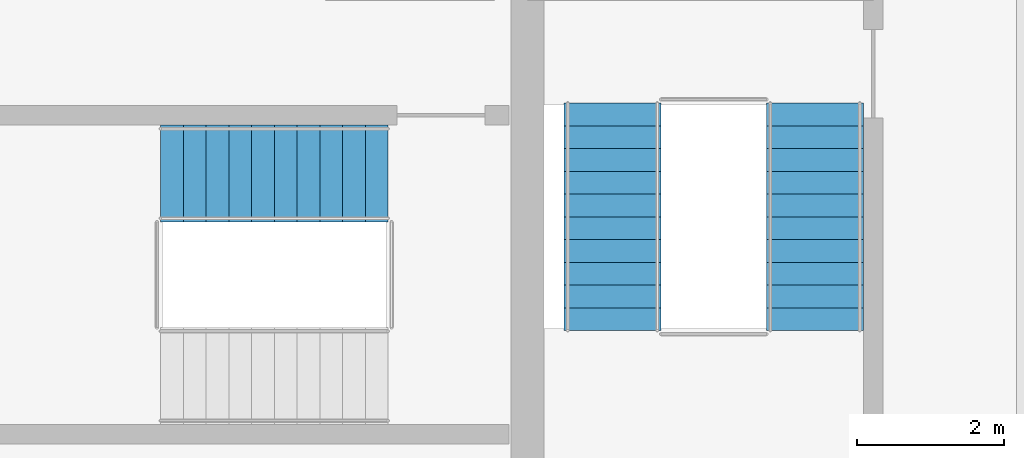
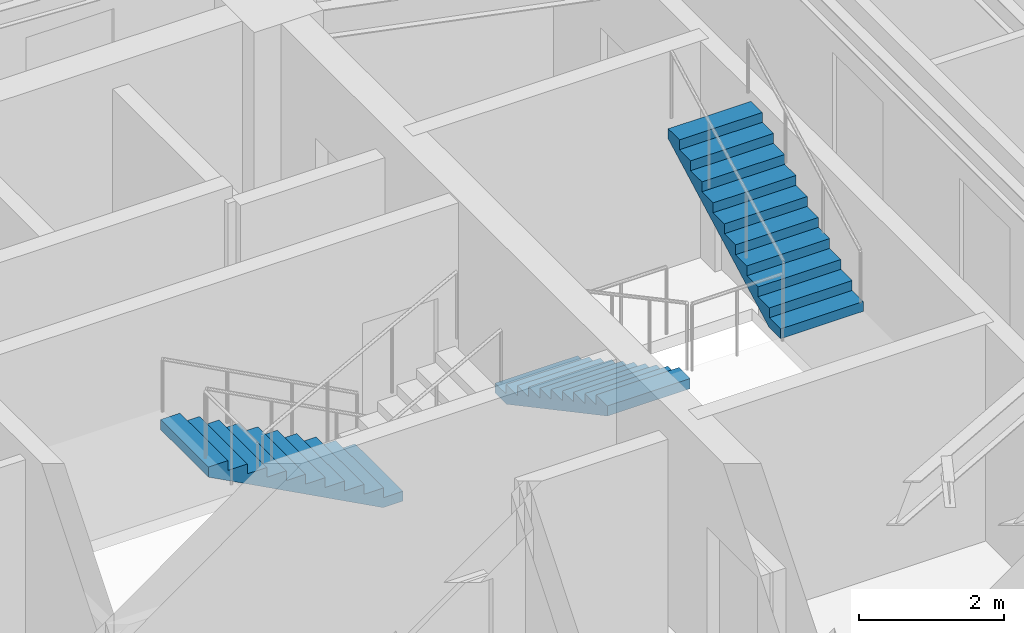
# One storey, part 11 of 13: 3 stair flights, 2 elements without a shape of their own.
"""IFC4 building model written with IfcOpenShell, lengths in metres."""

from ifc_helpers import new_model, si_unit, direction, frame, origin, place, context, subcontext, project, spatial, polyline, outline, extrude, material, type_object, element, aggregate, save


model = new_model("IFC4")

# Units and contexts
model_context = context("Model", 3, precision=1e-05, world=origin(), true_north=direction((0.0, 1.0)))
body_context = subcontext(model_context, "Body", "Model", "MODEL_VIEW")
ifc_project = project(units=[si_unit("LENGTHUNIT", "METRE"), si_unit("AREAUNIT", "SQUARE_METRE"), si_unit("VOLUMEUNIT", "CUBIC_METRE"), si_unit("PLANEANGLEUNIT", "RADIAN"), si_unit("MASSUNIT", "GRAM", prefix="KILO")], contexts=[model_context])

# Site, building, storey
site_placement = place(None, origin())
site = spatial("IfcSite", under=ifc_project, at=site_placement, CompositionType="ELEMENT")
building_placement = place(site_placement, origin())
building = spatial("IfcBuilding", under=site, at=building_placement, Name="Lazwardi Medical Tower", CompositionType="ELEMENT")
storey_placement = place(building_placement, frame((0.0, 0.0, 273.263916015625)))
storey = spatial("IfcBuildingStorey", under=building, at=storey_placement, Name="L71", CompositionType="ELEMENT", Elevation=273.263916015625)

# Stair, stair flight
ifc_material = material(Name="Concrete C45/55", Category="concrete")
stair_type = type_object("IfcStairType", Name="STR-WRD", PredefinedType="HALF_TURN_STAIR", material=ifc_material)
stair_1_placement = place(storey_placement, origin())
stair_1 = element("IfcStair", 1, at=stair_1_placement, inside=storey, type_object=stair_type, Name="L71 Protected Exit Stair ST2", PredefinedType="HALF_TURN_STAIR")
stair_flight_type = type_object("IfcStairFlightType", Name="FLT-WRD", PredefinedType="STRAIGHT", material=ifc_material)
stair_flight_1_placement = place(storey_placement, frame((43.800048828125, 29.43994140625, 0.0), z_axis=(0.0, 0.0, 1.0), x_axis=(-1.0, 0.0, 0.0)))
stair_flight_1 = element("IfcStairFlight", 2, at=stair_flight_1_placement, type_object=stair_flight_type, Name="ST2 flight 1", NumberOfRisers=11, NumberOfTreads=10, PredefinedType="STRAIGHT", RiserHeight=0.165818182, TreadLength=0.31, context=body_context, shape_type="SweptSolid", body=[
    extrude(outline(polyline([(0.0, 0.0), (0.0, 0.165771484375), (0.31005859375, 0.165771484375), (0.31005859375, 0.33154296875), (0.6201171875, 0.33154296875), (0.6201171875, 0.49755859375), (0.929931640625, 0.49755859375), (0.929931640625, 0.663330078125), (1.239990234375, 0.663330078125), (1.239990234375, 0.8291015625), (1.550048828125, 0.8291015625), (1.550048828125, 0.994873046875), (1.860107421875, 0.994873046875), (1.860107421875, 1.16064453125), (2.169921875, 1.16064453125), (2.169921875, 1.32666015625), (2.47998046875, 1.32666015625), (2.47998046875, 1.492431640625), (2.7900390625, 1.492431640625), (2.7900390625, 1.658203125), (3.10009765625, 1.658203125), (3.10009765625, 1.823974609375), (3.10009765625, 1.48828125), (0.31787109375, 0.0), (0.0, 0.0)])), frame((0.0, 0.66015625, 0.0), z_axis=(0.0, -1.0, 0.0), x_axis=(1.0, 0.0, 0.0)), (0.0, 0.0, 1.0), 1.320068359375),
])
aggregate(stair_1, [stair_flight_1])

# Stair, stair flights
stair_2_placement = place(storey_placement, origin())
stair_2 = element("IfcStair", 3, at=stair_2_placement, inside=storey, type_object=stair_type, Name="L71 Protected Exit Stair ST3", PredefinedType="HALF_TURN_STAIR")
stair_flight_2_placement = place(storey_placement, frame((46.860107421875, 30.39990234375, 0.0), z_axis=(0.0, 0.0, 1.0), x_axis=(0.0, -1.0, 0.0)))
stair_flight_2 = element("IfcStairFlight", 4, at=stair_flight_2_placement, type_object=stair_flight_type, Name="ST3 flight 1", NumberOfRisers=11, NumberOfTreads=10, PredefinedType="STRAIGHT", RiserHeight=0.165818182, TreadLength=0.31, context=body_context, shape_type="SweptSolid", body=[
    extrude(outline(polyline([(0.0, 0.0), (0.0, 0.165771484375), (0.31005859375, 0.165771484375), (0.31005859375, 0.33154296875), (0.6201171875, 0.33154296875), (0.6201171875, 0.49755859375), (0.929931640625, 0.49755859375), (0.929931640625, 0.663330078125), (1.239990234375, 0.663330078125), (1.239990234375, 0.8291015625), (1.550048828125, 0.8291015625), (1.550048828125, 0.994873046875), (1.860107421875, 0.994873046875), (1.860107421875, 1.16064453125), (2.169921875, 1.16064453125), (2.169921875, 1.32666015625), (2.47998046875, 1.32666015625), (2.47998046875, 1.492431640625), (2.7900390625, 1.492431640625), (2.7900390625, 1.658203125), (3.10009765625, 1.658203125), (3.10009765625, 1.823974609375), (3.10009765625, 1.48828125), (0.31787109375, 0.0), (0.0, 0.0)])), frame((0.0, 0.66015625, 0.0), z_axis=(0.0, -1.0, 0.0), x_axis=(1.0, 0.0, 0.0)), (0.0, 0.0, 1.0), 1.320068359375),
])
stair_flight_3_placement = place(storey_placement, frame((49.6201171875, 27.300048828125, 1.823974609375), z_axis=(0.0, 0.0, 1.0), x_axis=(0.0, 1.0, 0.0)))
stair_flight_3 = element("IfcStairFlight", 5, at=stair_flight_3_placement, type_object=stair_flight_type, Name="ST3 flight 2", NumberOfRisers=11, NumberOfTreads=10, PredefinedType="STRAIGHT", RiserHeight=0.165818182, TreadLength=0.31, context=body_context, shape_type="SweptSolid", body=[
    extrude(outline(polyline([(0.0, 0.0), (0.0, 0.165771484375), (0.31005859375, 0.165771484375), (0.31005859375, 0.33154296875), (0.6201171875, 0.33154296875), (0.6201171875, 0.49755859375), (0.929931640625, 0.49755859375), (0.929931640625, 0.663330078125), (1.239990234375, 0.663330078125), (1.239990234375, 0.8291015625), (1.550048828125, 0.8291015625), (1.550048828125, 0.994873046875), (1.860107421875, 0.994873046875), (1.860107421875, 1.16064453125), (2.169921875, 1.16064453125), (2.169921875, 1.32666015625), (2.47998046875, 1.32666015625), (2.47998046875, 1.492431640625), (2.7900390625, 1.492431640625), (2.7900390625, 1.658203125), (3.10009765625, 1.658203125), (3.10009765625, 1.823974609375), (3.10009765625, 1.48828125), (0.31787109375, 0.0), (0.0, 0.0)])), frame((0.0, 0.66015625, 0.0), z_axis=(0.0, -1.0, 0.0), x_axis=(1.0, 0.0, 0.0)), (0.0, 0.0, 1.0), 1.320068359375),
])
aggregate(stair_2, [stair_flight_2, stair_flight_3])

save(model, "model.ifc")
